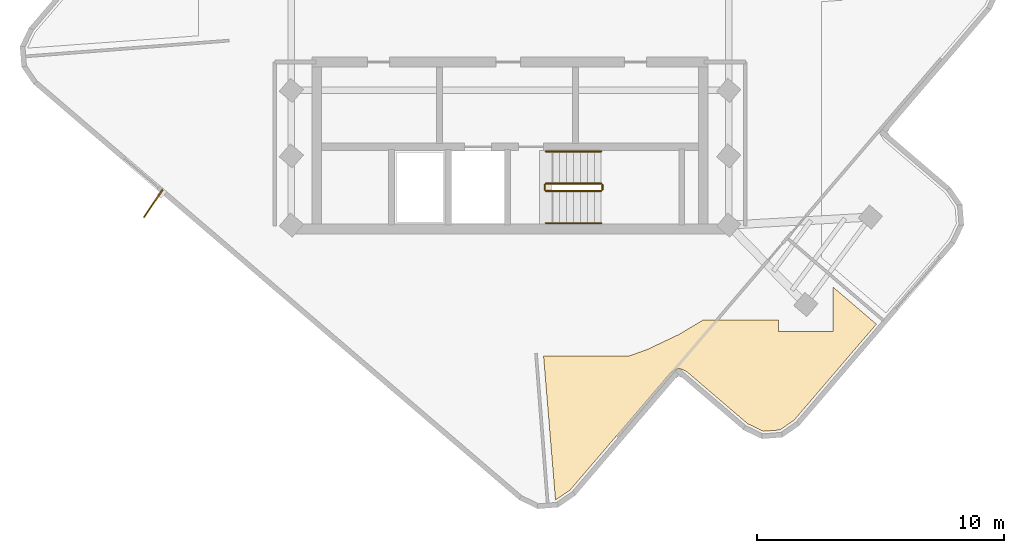
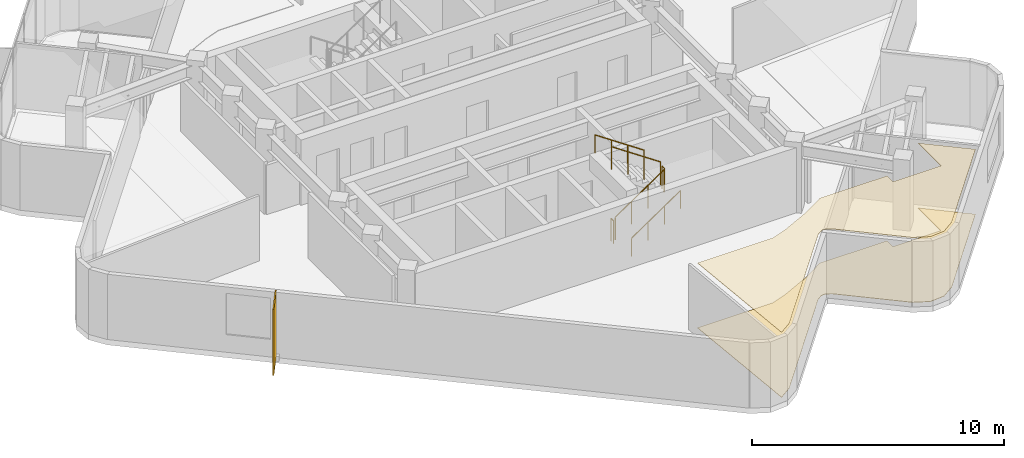
# One storey, part 8 of 10: 6 railings, 2 coverings, 1 shading device.
"""IFC4 building model written with IfcOpenShell, lengths in metres."""

from ifc_helpers import new_model, si_unit, direction, frame, origin, origin_2d, place, context, subcontext, project, spatial, polyline, rectangle, circle, outline, extrude, material, layer, layer_set, type_object, element, save


model = new_model("IFC4")

# Units and contexts
model_context = context("Model", 3, precision=1e-05, world=origin(), true_north=direction((0.0, 1.0)))
body_context = subcontext(model_context, "Body", "Model", "MODEL_VIEW")
ifc_project = project(units=[si_unit("LENGTHUNIT", "METRE"), si_unit("AREAUNIT", "SQUARE_METRE"), si_unit("VOLUMEUNIT", "CUBIC_METRE"), si_unit("PLANEANGLEUNIT", "RADIAN"), si_unit("MASSUNIT", "GRAM", prefix="KILO")], contexts=[model_context])

# Site, building, storey
site_placement = place(None, origin())
site = spatial("IfcSite", under=ifc_project, at=site_placement, CompositionType="ELEMENT")
building_placement = place(site_placement, origin())
building = spatial("IfcBuilding", under=site, at=building_placement, Name="Solmarez Civic Tower", CompositionType="ELEMENT")
storey_placement = place(building_placement, frame((0.0, 0.0, 254.340087890625)))
storey = spatial("IfcBuildingStorey", under=building, at=storey_placement, Name="L68", CompositionType="ELEMENT", Elevation=254.340087890625)

# Coverings
ifc_material_1 = material(Name="Perforated Mineral-Fibre Acoustic Ceiling")
ifc_layer_1 = layer(ifc_material_1, 0.02490234375)
ifc_layer_set_1 = layer_set([ifc_layer_1], Name="Perforated Mineral-Fibre Acoustic Ceiling")
covering_type_1 = type_object("IfcCoveringType", Name="COV-CEIL-ACOUSTIC", PredefinedType="CEILING", material=ifc_layer_set_1)
covering_1_placement = place(storey_placement, frame((0.0, 0.0, 3.135009765625)))
element("IfcCovering", 1, at=covering_1_placement, inside=storey, type_object=covering_type_1, Name="L68 Suspended Acoustic Ceiling 3", PredefinedType="CEILING", context=body_context, shape_type="SweptSolid", body=[
    extrude(outline(polyline([(6.5, -14.327880859375), (6.5048828125, -14.323974609375), (6.52099609375, -14.31103515625), (6.6630859375, -14.214111328125), (6.677978515625, -14.205078125), (6.68505859375, -14.200927734375), (6.696044921875, -14.195068359375), (6.701904296875, -14.19189453125), (6.712890625, -14.18701171875), (6.719970703125, -14.18408203125), (6.737060546875, -14.177978515625), (6.75390625, -14.173095703125), (6.761962890625, -14.1708984375), (6.783935546875, -14.166015625), (6.794921875, -14.1650390625), (6.802978515625, -14.1640625), (6.830078125, -14.162109375), (6.837890625, -14.162109375), (6.868896484375, -14.1640625), (6.8759765625, -14.1650390625), (6.89794921875, -14.169921875), (6.906005859375, -14.172119140625), (6.9130859375, -14.173095703125), (6.919921875, -14.175048828125), (6.947021484375, -14.18505859375), (6.9541015625, -14.18798828125), (6.9619140625, -14.19091796875), (7.1201171875, -14.26708984375), (7.1259765625, -14.27001953125), (7.14990234375, -14.283935546875), (7.156005859375, -14.2880859375), (7.1708984375, -14.299072265625), (7.176025390625, -14.302978515625), (7.181884765625, -14.30810546875), (9.613037109375, -16.388916015625), (10.2529296875, -16.695068359375), (10.91796875, -16.64306640625), (11.501953125, -16.241943359375), (14.824951171875, -12.360107421875), (13.071044921875, -10.85791015625), (13.071044921875, -12.666015625), (10.87109375, -12.666015625), (10.87109375, -12.199951171875), (7.797119140625, -12.199951171875), (6.842041015625, -12.77294921875), (6.826904296875, -12.781005859375), (6.81396484375, -12.787109375), (5.552978515625, -13.384033203125), (5.532958984375, -13.39208984375), (4.85107421875, -13.635986328125), (4.844970703125, -13.637939453125), (4.818115234375, -13.64501953125), (4.81298828125, -13.64599609375), (4.7919921875, -13.64892578125), (4.77001953125, -13.64990234375), (1.35595703125, -13.64990234375), (1.840087890625, -19.47607421875), (1.846923828125, -19.47509765625), (2.430908203125, -19.073974609375), (6.4619140625, -14.364990234375), (6.47705078125, -14.347900390625), (6.493896484375, -14.33203125), (6.5, -14.327880859375)])), origin(), (0.0, 0.0, 1.0), 0.02490234375),
])
ifc_material_2 = material(Name="Polished Tropical Stone Terrazzo Flooring", Category="masonry")
ifc_layer_2 = layer(ifc_material_2, 0.02001953125)
ifc_layer_set_2 = layer_set([ifc_layer_2], Name="Polished Tropical Stone Terrazzo Flooring")
covering_type_2 = type_object("IfcCoveringType", Name="COV-FLOOR-TERRAZZO", PredefinedType="FLOORING", material=ifc_layer_set_2)
covering_2_placement = place(storey_placement, origin())
element("IfcCovering", 2, at=covering_2_placement, inside=storey, type_object=covering_type_2, Name="L68 Terrazzo Floor Finish 3", PredefinedType="FLOORING", context=body_context, shape_type="SweptSolid", body=[
    extrude(outline(polyline([(6.5, -14.327880859375), (6.5048828125, -14.323974609375), (6.52099609375, -14.31103515625), (6.6630859375, -14.214111328125), (6.677978515625, -14.205078125), (6.68505859375, -14.200927734375), (6.696044921875, -14.195068359375), (6.701904296875, -14.19189453125), (6.712890625, -14.18701171875), (6.719970703125, -14.18408203125), (6.737060546875, -14.177978515625), (6.75390625, -14.173095703125), (6.761962890625, -14.1708984375), (6.783935546875, -14.166015625), (6.794921875, -14.1650390625), (6.802978515625, -14.1640625), (6.830078125, -14.162109375), (6.837890625, -14.162109375), (6.868896484375, -14.1640625), (6.8759765625, -14.1650390625), (6.89794921875, -14.169921875), (6.906005859375, -14.172119140625), (6.9130859375, -14.173095703125), (6.919921875, -14.175048828125), (6.947021484375, -14.18505859375), (6.9541015625, -14.18798828125), (6.9619140625, -14.19091796875), (7.1201171875, -14.26708984375), (7.1259765625, -14.27001953125), (7.14990234375, -14.283935546875), (7.156005859375, -14.2880859375), (7.1708984375, -14.299072265625), (7.176025390625, -14.302978515625), (7.181884765625, -14.30810546875), (9.613037109375, -16.388916015625), (10.2529296875, -16.695068359375), (10.91796875, -16.64306640625), (11.501953125, -16.241943359375), (14.824951171875, -12.360107421875), (13.071044921875, -10.85791015625), (13.071044921875, -12.666015625), (10.87109375, -12.666015625), (10.87109375, -12.199951171875), (7.797119140625, -12.199951171875), (6.842041015625, -12.77294921875), (6.826904296875, -12.781005859375), (6.81396484375, -12.787109375), (5.552978515625, -13.384033203125), (5.532958984375, -13.39208984375), (4.85107421875, -13.635986328125), (4.844970703125, -13.637939453125), (4.818115234375, -13.64501953125), (4.81298828125, -13.64599609375), (4.7919921875, -13.64892578125), (4.77001953125, -13.64990234375), (1.35595703125, -13.64990234375), (1.840087890625, -19.47607421875), (1.846923828125, -19.47509765625), (2.430908203125, -19.073974609375), (6.4619140625, -14.364990234375), (6.47705078125, -14.347900390625), (6.493896484375, -14.33203125), (6.5, -14.327880859375)])), origin(), (0.0, 0.0, 1.0), 0.02001953125),
])

# Shading device
ifc_material_3 = material(Name="Bronze Anodised Aluminium EN AW-6063 T6", Category="aluminium")
ifc_layer_3 = layer(ifc_material_3, 0.054931640625)
ifc_layer_set_3 = layer_set([ifc_layer_3], Name="Bronze Anodised Aluminium EN AW-6063 T6")
shading_device_type = type_object("IfcShadingDeviceType", Name="FIN-BRONZE-Z56", PredefinedType="USERDEFINED", material=ifc_layer_set_3)
shading_device_placement = place(storey_placement, frame((-14.443115234375, -7.47998046875, -0.0400390625), z_axis=(0.0, 0.0, 1.0), x_axis=(-0.558454740843, -0.829534991685, 0.0)))
element("IfcShadingDevice", 3, at=shading_device_placement, inside=storey, type_object=shading_device_type, Name="L68 Anodised Bronze Solar Fin FIN-L68-01", ObjectType="FIN", PredefinedType="USERDEFINED", context=body_context, shape_type="SweptSolid", body=[
    extrude(rectangle(XDim=1.35009765625, YDim=0.054931640625, at=origin_2d()), origin(), (0.0, 0.0, 1.0), 3.199951171875),
])

# Railings
ifc_material_4 = material(Name="Painted Steel Stairwell Safety Guard", Category="steel")
railing_type_1 = type_object("IfcRailingType", Name="GUARD-STAIR-1120", PredefinedType="BALUSTRADE", material=ifc_material_4)
railing_1_placement = place(storey_placement, frame((1.449951171875, -6.969970703125, 0.18994140625)))
element("IfcRailing", 4, at=railing_1_placement, inside=storey, type_object=railing_type_1, Name="L68 ST-2 stair guard 1", PredefinedType="BALUSTRADE", context=body_context, shape_type="SweptSolid", body=[
    extrude(circle(Radius=0.02392578125, at=origin_2d()), frame((0.0, 0.0, 1.09619140625), z_axis=(0.827471284677, 0.0, 0.561508034703), x_axis=(0.0, 1.0, 0.0)), (0.0, 0.0, 1.0), 2.70703125),
    extrude(circle(Radius=0.02099609375, at=origin_2d()), origin(), (0.0, 0.0, 1.0), 1.072021484375),
    extrude(circle(Radius=0.02099609375, at=origin_2d()), frame((0.74658203125, 0.0, 0.506591796875)), (0.0, 0.0, 1.0), 1.072021484375),
    extrude(circle(Radius=0.02099609375, at=origin_2d()), frame((1.493408203125, 0.0, 1.013427734375)), (0.0, 0.0, 1.0), 1.072021484375),
    extrude(circle(Radius=0.02099609375, at=origin_2d()), frame((2.239990234375, 0.0, 1.52001953125)), (0.0, 0.0, 1.0), 1.072021484375),
])
railing_2_placement = place(storey_placement, frame((3.739990234375, -6.919921875, 1.7099609375)))
element("IfcRailing", 5, at=railing_2_placement, inside=storey, type_object=railing_type_1, Name="L68 ST-2 stair guard 2", PredefinedType="BALUSTRADE", context=body_context, shape_type="SweptSolid", body=[
    extrude(circle(Radius=0.02392578125, at=origin_2d()), frame((0.0, 0.0, 1.09619140625), z_axis=(0.0, 1.0, 0.0), x_axis=(-1.0, 0.0, 0.0)), (0.0, 0.0, 1.0), 0.199951171875),
    extrude(circle(Radius=0.02099609375, at=origin_2d()), origin(), (0.0, 0.0, 1.0), 1.072021484375),
    extrude(circle(Radius=0.02099609375, at=origin_2d()), frame((0.0, 0.199951171875, 0.0)), (0.0, 0.0, 1.0), 1.072021484375),
])
railing_3_placement = place(storey_placement, frame((3.68994140625, -6.669921875, 1.89990234375)))
element("IfcRailing", 6, at=railing_3_placement, inside=storey, type_object=railing_type_1, Name="L68 ST-2 stair guard 3", PredefinedType="BALUSTRADE", context=body_context, shape_type="SweptSolid", body=[
    extrude(circle(Radius=0.02392578125, at=origin_2d()), frame((0.0, 0.0, 1.09619140625), z_axis=(-0.827471284677, 0.0, 0.561508034703), x_axis=(0.0, -1.0, 0.0)), (0.0, 0.0, 1.0), 2.70703125),
    extrude(circle(Radius=0.02099609375, at=origin_2d()), origin(), (0.0, 0.0, 1.0), 1.072021484375),
    extrude(circle(Radius=0.02099609375, at=origin_2d()), frame((-0.74658203125, 0.0, 0.506591796875)), (0.0, 0.0, 1.0), 1.072021484375),
    extrude(circle(Radius=0.02099609375, at=origin_2d()), frame((-1.493408203125, 0.0, 1.013427734375)), (0.0, 0.0, 1.0), 1.072021484375),
    extrude(circle(Radius=0.02099609375, at=origin_2d()), frame((-2.239990234375, 0.0, 1.52001953125)), (0.0, 0.0, 1.0), 1.072021484375),
])
railing_4_placement = place(storey_placement, frame((1.39990234375, -6.919921875, 0.0)))
element("IfcRailing", 7, at=railing_4_placement, inside=storey, type_object=railing_type_1, Name="L68 ST-2 stair guard 4", PredefinedType="BALUSTRADE", context=body_context, shape_type="SweptSolid", body=[
    extrude(circle(Radius=0.02392578125, at=origin_2d()), frame((0.0, 0.0, 1.09619140625), z_axis=(0.0, 1.0, 0.0), x_axis=(-1.0, 0.0, 0.0)), (0.0, 0.0, 1.0), 0.199951171875),
    extrude(circle(Radius=0.02099609375, at=origin_2d()), origin(), (0.0, 0.0, 1.0), 1.072021484375),
    extrude(circle(Radius=0.02099609375, at=origin_2d()), frame((0.0, 0.199951171875, 0.0)), (0.0, 0.0, 1.0), 1.072021484375),
])
ifc_material_5 = material(Name="Brushed Stainless Steel Tube Handrail", Category="steel")
railing_type_2 = type_object("IfcRailingType", Name="HANDRAIL-STAIR-900", PredefinedType="HANDRAIL", material=ifc_material_5)
railing_5_placement = place(storey_placement, frame((1.449951171875, -8.27001953125, 0.18994140625)))
element("IfcRailing", 8, at=railing_5_placement, inside=storey, type_object=railing_type_2, Name="L68 ST-2 stair handrail 1", PredefinedType="HANDRAIL", context=body_context, shape_type="SweptSolid", body=[
    extrude(circle(Radius=0.02392578125, at=origin_2d()), frame((0.0, 0.0, 0.8759765625), z_axis=(0.827471284677, 0.0, 0.561508034703), x_axis=(0.0, 1.0, 0.0)), (0.0, 0.0, 1.0), 2.70703125),
    extrude(circle(Radius=0.02099609375, at=origin_2d()), origin(), (0.0, 0.0, 1.0), 0.851806640625),
    extrude(circle(Radius=0.02099609375, at=origin_2d()), frame((0.74658203125, 0.0, 0.506591796875)), (0.0, 0.0, 1.0), 0.851806640625),
    extrude(circle(Radius=0.02099609375, at=origin_2d()), frame((1.493408203125, 0.0, 1.013427734375)), (0.0, 0.0, 1.0), 0.851806640625),
    extrude(circle(Radius=0.02099609375, at=origin_2d()), frame((2.239990234375, 0.0, 1.52001953125)), (0.0, 0.0, 1.0), 0.851806640625),
])
railing_6_placement = place(storey_placement, frame((3.68994140625, -5.3701171875, 1.89990234375)))
element("IfcRailing", 9, at=railing_6_placement, inside=storey, type_object=railing_type_2, Name="L68 ST-2 stair handrail 2", PredefinedType="HANDRAIL", context=body_context, shape_type="SweptSolid", body=[
    extrude(circle(Radius=0.02392578125, at=origin_2d()), frame((0.0, 0.0, 0.8759765625), z_axis=(-0.827471284677, 0.0, 0.561508034703), x_axis=(0.0, -1.0, 0.0)), (0.0, 0.0, 1.0), 2.70703125),
    extrude(circle(Radius=0.02099609375, at=origin_2d()), origin(), (0.0, 0.0, 1.0), 0.851806640625),
    extrude(circle(Radius=0.02099609375, at=origin_2d()), frame((-0.74658203125, 0.0, 0.506591796875)), (0.0, 0.0, 1.0), 0.851806640625),
    extrude(circle(Radius=0.02099609375, at=origin_2d()), frame((-1.493408203125, 0.0, 1.013427734375)), (0.0, 0.0, 1.0), 0.851806640625),
    extrude(circle(Radius=0.02099609375, at=origin_2d()), frame((-2.239990234375, 0.0, 1.52001953125)), (0.0, 0.0, 1.0), 0.851806640625),
])

save(model, "model.ifc")
